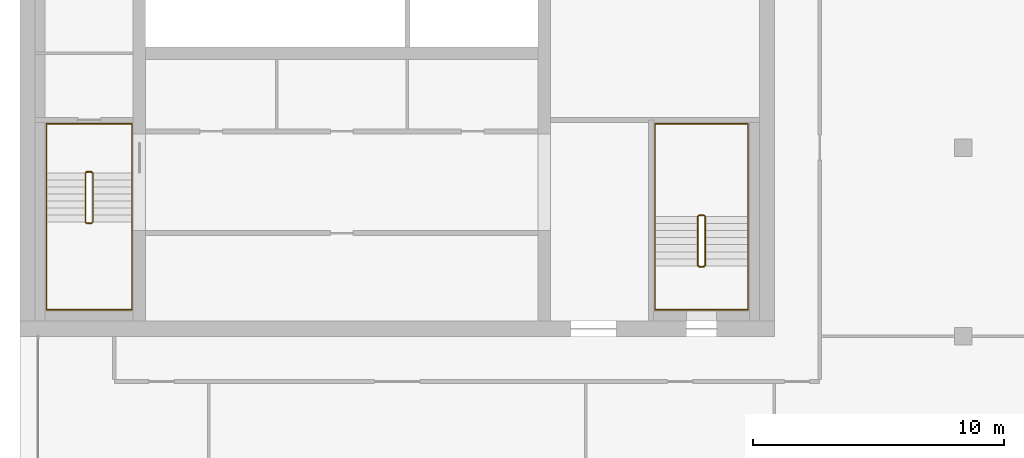
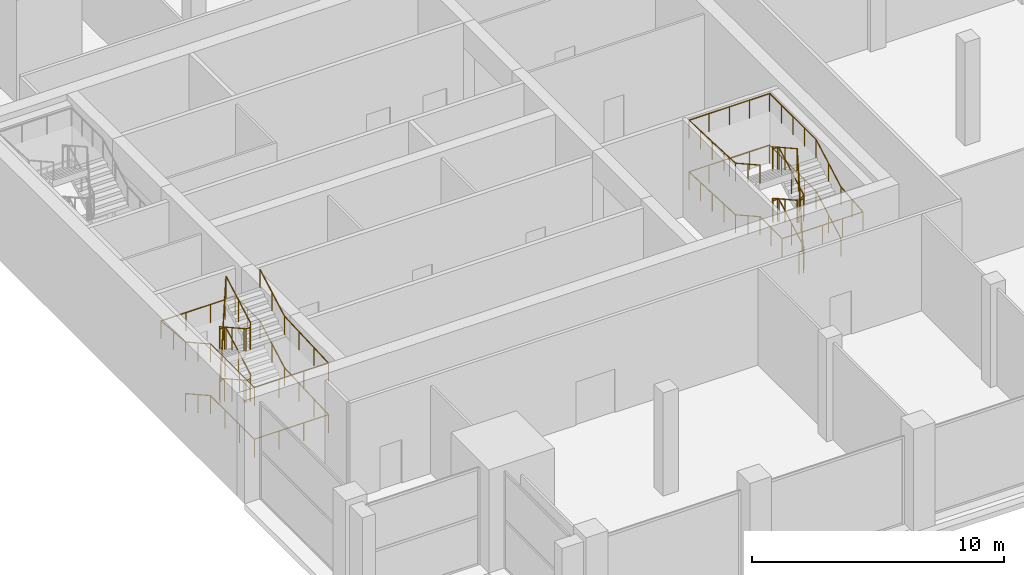
# One storey, part 14 of 15: 4 railings.
"""IFC4 building model written with IfcOpenShell, lengths in metres."""

from ifc_helpers import new_model, si_unit, direction, frame, origin, origin_2d, place, context, subcontext, project, spatial, circle, extrude, material, type_object, element, save


model = new_model("IFC4")

# Units and contexts
model_context = context("Model", 3, precision=1e-05, world=origin(), true_north=direction((0.0, 1.0)))
body_context = subcontext(model_context, "Body", "Model", "MODEL_VIEW")
ifc_project = project(units=[si_unit("LENGTHUNIT", "METRE"), si_unit("AREAUNIT", "SQUARE_METRE"), si_unit("VOLUMEUNIT", "CUBIC_METRE"), si_unit("PLANEANGLEUNIT", "RADIAN"), si_unit("MASSUNIT", "GRAM", prefix="KILO")], contexts=[model_context])

# Site, building, storey
site_placement = place(None, origin())
site = spatial("IfcSite", under=ifc_project, at=site_placement, CompositionType="ELEMENT")
building_placement = place(site_placement, origin())
building = spatial("IfcBuilding", under=site, at=building_placement, Name="Tamorin Gate", CompositionType="ELEMENT")
storey_placement = place(building_placement, frame((0.0, 0.0, 287.199951171875)))
storey = spatial("IfcBuildingStorey", under=building, at=storey_placement, Name="L72", CompositionType="ELEMENT", Elevation=287.199951171875)

# Railings
ifc_material_1 = material(Name="Painted steel balustrade", Category="steel")
railing_type_1 = type_object("IfcRailingType", Name="Stair guard 1100", PredefinedType="GUARDRAIL", material=ifc_material_1)
railing_1_placement = place(storey_placement, frame((32.60009765625, 66.5, 0.15625)))
element("IfcRailing", 1, at=railing_1_placement, inside=storey, type_object=railing_type_1, Name="L72 ST1 stair guard 1", PredefinedType="GUARDRAIL", context=body_context, shape_type="SweptSolid", body=[
    extrude(circle(Radius=0.02392578125, at=origin_2d()), frame((0.0, 0.0, 1.076171875), z_axis=(0.0, -0.873232148454, 0.487304437602), x_axis=(1.0, 0.0, 0.0)), (0.0, 0.0, 1.0), 2.244384765625),
    extrude(circle(Radius=0.02392578125, at=origin_2d()), frame((0.0, -1.9599609375, 2.169921875), z_axis=(0.705375805398, -0.708833529934, 0.0), x_axis=(0.708833529934, 0.705375805398, 0.0)), (0.0, 0.0, 1.0), 0.070556640625),
    extrude(circle(Radius=0.02392578125, at=origin_2d()), frame((0.0498046875, -2.010009765625, 2.169921875), z_axis=(1.0, 0.0, 0.0), x_axis=(0.0, 1.0, 0.0)), (0.0, 0.0, 1.0), 0.2001953125),
    extrude(circle(Radius=0.02392578125, at=origin_2d()), frame((0.25, -2.010009765625, 2.169921875), z_axis=(0.290469530425, 0.291893400672, 0.911276958196), x_axis=(-0.708833529934, 0.705375805398, 0.0)), (0.0, 0.0, 1.0), 0.17138671875),
    extrude(circle(Radius=0.02392578125, at=origin_2d()), frame((0.2998046875, -1.9599609375, 2.326171875), z_axis=(0.0, 0.873232148454, 0.487304437602), x_axis=(-1.0, 0.0, 0.0)), (0.0, 0.0, 1.0), 2.244384765625),
    extrude(circle(Radius=0.02392578125, at=origin_2d()), frame((0.2998046875, 0.0, 3.419921875), z_axis=(-0.98054382908, 0.196300278283, 0.0), x_axis=(-0.196300278283, -0.98054382908, 0.0)), (0.0, 0.0, 1.0), 0.2548828125),
    extrude(circle(Radius=0.02392578125, at=origin_2d()), frame((0.0498046875, 0.050048828125, 3.419921875), z_axis=(1.0, 0.0, 0.0), x_axis=(0.0, 1.0, 0.0)), (0.0, 0.0, 1.0), 0.2001953125),
    extrude(circle(Radius=0.02392578125, at=origin_2d()), frame((0.25, 0.050048828125, 3.419921875), z_axis=(-0.836036486302, -0.167370585637, 0.522522803939), x_axis=(0.196300278283, -0.98054382908, 0.0)), (0.0, 0.0, 1.0), 0.299072265625),
    extrude(circle(Radius=0.02392578125, at=origin_2d()), frame((0.0, 0.0, 3.576171875), z_axis=(0.0, -0.873232148454, 0.487304437602), x_axis=(1.0, 0.0, 0.0)), (0.0, 0.0, 1.0), 2.244384765625),
    extrude(circle(Radius=0.02392578125, at=origin_2d()), frame((0.0, -1.9599609375, 4.669921875), z_axis=(0.705375805398, -0.708833529934, 0.0), x_axis=(0.708833529934, 0.705375805398, 0.0)), (0.0, 0.0, 1.0), 0.070556640625),
    extrude(circle(Radius=0.02392578125, at=origin_2d()), frame((0.0498046875, -2.010009765625, 4.669921875), z_axis=(1.0, 0.0, 0.0), x_axis=(0.0, 1.0, 0.0)), (0.0, 0.0, 1.0), 0.2001953125),
    extrude(circle(Radius=0.02392578125, at=origin_2d()), frame((0.25, -2.010009765625, 4.669921875), z_axis=(0.290469530425, 0.291893400672, 0.911276958196), x_axis=(-0.708833529934, 0.705375805398, 0.0)), (0.0, 0.0, 1.0), 0.17138671875),
    extrude(circle(Radius=0.02392578125, at=origin_2d()), frame((0.2998046875, -1.9599609375, 4.826171875), z_axis=(0.0, 0.873232148454, 0.487304437602), x_axis=(-1.0, 0.0, 0.0)), (0.0, 0.0, 1.0), 2.244384765625),
    extrude(circle(Radius=0.02392578125, at=origin_2d()), frame((0.2998046875, 0.0, 5.919921875), z_axis=(-0.04993512161, 0.009996777275, -0.998702432196), x_axis=(-0.196300278283, -0.98054382908, 0.0)), (0.0, 0.0, 1.0), 5.006591796875),
    extrude(circle(Radius=0.02392578125, at=origin_2d()), frame((0.0498046875, 0.050048828125, 0.919921875), z_axis=(1.0, 0.0, 0.0), x_axis=(0.0, 1.0, 0.0)), (0.0, 0.0, 1.0), 0.2001953125),
    extrude(circle(Radius=0.02099609375, at=origin_2d()), origin(), (0.0, 0.0, 1.0), 1.052001953125),
    extrude(circle(Radius=0.02099609375, at=origin_2d()), frame((0.0, -0.97998046875, 0.546875)), (0.0, 0.0, 1.0), 1.052001953125),
    extrude(circle(Radius=0.02099609375, at=origin_2d()), frame((0.0, -1.9599609375, 1.09375)), (0.0, 0.0, 1.0), 1.052001953125),
    extrude(circle(Radius=0.02099609375, at=origin_2d()), frame((0.0498046875, -2.010009765625, 1.09375)), (0.0, 0.0, 1.0), 1.052001953125),
    extrude(circle(Radius=0.02099609375, at=origin_2d()), frame((0.25, -2.010009765625, 1.09375)), (0.0, 0.0, 1.0), 1.052001953125),
    extrude(circle(Radius=0.02099609375, at=origin_2d()), frame((0.2998046875, -1.9599609375, 1.25)), (0.0, 0.0, 1.0), 1.052001953125),
    extrude(circle(Radius=0.02099609375, at=origin_2d()), frame((0.2998046875, -0.97998046875, 1.796875)), (0.0, 0.0, 1.0), 1.052001953125),
    extrude(circle(Radius=0.02099609375, at=origin_2d()), frame((0.2998046875, 0.0, 2.34375)), (0.0, 0.0, 1.0), 1.052001953125),
    extrude(circle(Radius=0.02099609375, at=origin_2d()), frame((0.0498046875, 0.050048828125, 2.34375)), (0.0, 0.0, 1.0), 1.052001953125),
    extrude(circle(Radius=0.02099609375, at=origin_2d()), frame((0.25, 0.050048828125, 2.34375)), (0.0, 0.0, 1.0), 1.052001953125),
    extrude(circle(Radius=0.02099609375, at=origin_2d()), frame((0.0, 0.0, 2.5)), (0.0, 0.0, 1.0), 1.052001953125),
    extrude(circle(Radius=0.02099609375, at=origin_2d()), frame((0.0, -0.97998046875, 3.046875)), (0.0, 0.0, 1.0), 1.052001953125),
    extrude(circle(Radius=0.02099609375, at=origin_2d()), frame((0.0, -1.9599609375, 3.59375)), (0.0, 0.0, 1.0), 1.052001953125),
    extrude(circle(Radius=0.02099609375, at=origin_2d()), frame((0.0498046875, -2.010009765625, 3.59375)), (0.0, 0.0, 1.0), 1.052001953125),
    extrude(circle(Radius=0.02099609375, at=origin_2d()), frame((0.25, -2.010009765625, 3.59375)), (0.0, 0.0, 1.0), 1.052001953125),
    extrude(circle(Radius=0.02099609375, at=origin_2d()), frame((0.2998046875, -1.9599609375, 3.75)), (0.0, 0.0, 1.0), 1.052001953125),
    extrude(circle(Radius=0.02099609375, at=origin_2d()), frame((0.2998046875, -0.97998046875, 4.296875)), (0.0, 0.0, 1.0), 1.052001953125),
    extrude(circle(Radius=0.02099609375, at=origin_2d()), frame((0.2998046875, 0.0, 4.84375)), (0.0, 0.0, 1.0), 1.052001953125),
    extrude(circle(Radius=0.02099609375, at=origin_2d()), frame((0.249755859375, 0.010009765625, 3.84375)), (0.0, 0.0, 1.0), 1.052001953125),
    extrude(circle(Radius=0.02099609375, at=origin_2d()), frame((0.19970703125, 0.02001953125, 2.84375)), (0.0, 0.0, 1.0), 1.052001953125),
    extrude(circle(Radius=0.02099609375, at=origin_2d()), frame((0.14990234375, 0.030029296875, 1.84375)), (0.0, 0.0, 1.0), 1.052001953125),
    extrude(circle(Radius=0.02099609375, at=origin_2d()), frame((0.099853515625, 0.0400390625, 0.84375)), (0.0, 0.0, 1.0), 1.052001953125),
    extrude(circle(Radius=0.02099609375, at=origin_2d()), frame((0.0498046875, 0.050048828125, -0.15625)), (0.0, 0.0, 1.0), 1.052001953125),
    extrude(circle(Radius=0.02099609375, at=origin_2d()), frame((0.25, 0.050048828125, -0.15625)), (0.0, 0.0, 1.0), 1.052001953125),
])
railing_2_placement = place(storey_placement, frame((57.25, 62.800048828125, 0.15625)))
element("IfcRailing", 2, at=railing_2_placement, inside=storey, type_object=railing_type_1, Name="L72 ST3 stair guard 1", PredefinedType="GUARDRAIL", context=body_context, shape_type="SweptSolid", body=[
    extrude(circle(Radius=0.02392578125, at=origin_2d()), frame((0.0, 0.0, 1.076171875), z_axis=(0.0, 0.873232148454, 0.487304437602), x_axis=(-1.0, 0.0, 0.0)), (0.0, 0.0, 1.0), 2.244384765625),
    extrude(circle(Radius=0.02392578125, at=origin_2d()), frame((0.0, 1.9599609375, 2.169921875), z_axis=(-0.707106781187, 0.707106781187, 0.0), x_axis=(-0.707106781187, -0.707106781187, 0.0)), (0.0, 0.0, 1.0), 0.07080078125),
    extrude(circle(Radius=0.02392578125, at=origin_2d()), frame((-0.050048828125, 2.010009765625, 2.169921875), z_axis=(-1.0, 0.0, 0.0), x_axis=(0.0, -1.0, 0.0)), (0.0, 0.0, 1.0), 0.199951171875),
    extrude(circle(Radius=0.02392578125, at=origin_2d()), frame((-0.25, 2.010009765625, 2.169921875), z_axis=(-0.29177245553, -0.29177245553, 0.91089937336), x_axis=(0.707106781187, -0.707106781187, 0.0)), (0.0, 0.0, 1.0), 0.171630859375),
    extrude(circle(Radius=0.02392578125, at=origin_2d()), frame((-0.300048828125, 1.9599609375, 2.326171875), z_axis=(0.0, -0.873232148454, 0.487304437602), x_axis=(1.0, 0.0, 0.0)), (0.0, 0.0, 1.0), 2.244384765625),
    extrude(circle(Radius=0.02392578125, at=origin_2d()), frame((-0.300048828125, 0.0, 3.419921875), z_axis=(0.98054382908, -0.196300278283, 0.0), x_axis=(0.196300278283, 0.98054382908, 0.0)), (0.0, 0.0, 1.0), 0.2548828125),
    extrude(circle(Radius=0.02392578125, at=origin_2d()), frame((-0.050048828125, -0.050048828125, 3.419921875), z_axis=(-1.0, 0.0, 0.0), x_axis=(0.0, -1.0, 0.0)), (0.0, 0.0, 1.0), 0.199951171875),
    extrude(circle(Radius=0.02392578125, at=origin_2d()), frame((-0.25, -0.050048828125, 3.419921875), z_axis=(0.836036486302, 0.167370585637, 0.522522803939), x_axis=(-0.196300278283, 0.98054382908, 0.0)), (0.0, 0.0, 1.0), 0.299072265625),
    extrude(circle(Radius=0.02392578125, at=origin_2d()), frame((0.0, 0.0, 3.576171875), z_axis=(0.0, 0.873232148454, 0.487304437602), x_axis=(-1.0, 0.0, 0.0)), (0.0, 0.0, 1.0), 2.244384765625),
    extrude(circle(Radius=0.02392578125, at=origin_2d()), frame((0.0, 1.9599609375, 4.669921875), z_axis=(-0.707106781187, 0.707106781187, 0.0), x_axis=(-0.707106781187, -0.707106781187, 0.0)), (0.0, 0.0, 1.0), 0.07080078125),
    extrude(circle(Radius=0.02392578125, at=origin_2d()), frame((-0.050048828125, 2.010009765625, 4.669921875), z_axis=(-1.0, 0.0, 0.0), x_axis=(0.0, -1.0, 0.0)), (0.0, 0.0, 1.0), 0.199951171875),
    extrude(circle(Radius=0.02392578125, at=origin_2d()), frame((-0.25, 2.010009765625, 4.669921875), z_axis=(-0.29177245553, -0.29177245553, 0.91089937336), x_axis=(0.707106781187, -0.707106781187, 0.0)), (0.0, 0.0, 1.0), 0.171630859375),
    extrude(circle(Radius=0.02392578125, at=origin_2d()), frame((-0.300048828125, 1.9599609375, 4.826171875), z_axis=(0.0, -0.873232148454, 0.487304437602), x_axis=(1.0, 0.0, 0.0)), (0.0, 0.0, 1.0), 2.244384765625),
    extrude(circle(Radius=0.02392578125, at=origin_2d()), frame((-0.300048828125, 0.0, 5.919921875), z_axis=(0.04993512161, -0.009996777275, -0.998702432196), x_axis=(0.196300278283, 0.98054382908, 0.0)), (0.0, 0.0, 1.0), 5.006591796875),
    extrude(circle(Radius=0.02392578125, at=origin_2d()), frame((-0.050048828125, -0.050048828125, 0.919921875), z_axis=(-1.0, 0.0, 0.0), x_axis=(0.0, -1.0, 0.0)), (0.0, 0.0, 1.0), 0.199951171875),
    extrude(circle(Radius=0.02099609375, at=origin_2d()), origin(), (0.0, 0.0, 1.0), 1.052001953125),
    extrude(circle(Radius=0.02099609375, at=origin_2d()), frame((0.0, 0.97998046875, 0.546875)), (0.0, 0.0, 1.0), 1.052001953125),
    extrude(circle(Radius=0.02099609375, at=origin_2d()), frame((0.0, 1.9599609375, 1.09375)), (0.0, 0.0, 1.0), 1.052001953125),
    extrude(circle(Radius=0.02099609375, at=origin_2d()), frame((-0.050048828125, 2.010009765625, 1.09375)), (0.0, 0.0, 1.0), 1.052001953125),
    extrude(circle(Radius=0.02099609375, at=origin_2d()), frame((-0.25, 2.010009765625, 1.09375)), (0.0, 0.0, 1.0), 1.052001953125),
    extrude(circle(Radius=0.02099609375, at=origin_2d()), frame((-0.300048828125, 1.9599609375, 1.25)), (0.0, 0.0, 1.0), 1.052001953125),
    extrude(circle(Radius=0.02099609375, at=origin_2d()), frame((-0.300048828125, 0.97998046875, 1.796875)), (0.0, 0.0, 1.0), 1.052001953125),
    extrude(circle(Radius=0.02099609375, at=origin_2d()), frame((-0.300048828125, 0.0, 2.34375)), (0.0, 0.0, 1.0), 1.052001953125),
    extrude(circle(Radius=0.02099609375, at=origin_2d()), frame((-0.050048828125, -0.050048828125, 2.34375)), (0.0, 0.0, 1.0), 1.052001953125),
    extrude(circle(Radius=0.02099609375, at=origin_2d()), frame((-0.25, -0.050048828125, 2.34375)), (0.0, 0.0, 1.0), 1.052001953125),
    extrude(circle(Radius=0.02099609375, at=origin_2d()), frame((0.0, 0.0, 2.5)), (0.0, 0.0, 1.0), 1.052001953125),
    extrude(circle(Radius=0.02099609375, at=origin_2d()), frame((0.0, 0.97998046875, 3.046875)), (0.0, 0.0, 1.0), 1.052001953125),
    extrude(circle(Radius=0.02099609375, at=origin_2d()), frame((0.0, 1.9599609375, 3.59375)), (0.0, 0.0, 1.0), 1.052001953125),
    extrude(circle(Radius=0.02099609375, at=origin_2d()), frame((-0.050048828125, 2.010009765625, 3.59375)), (0.0, 0.0, 1.0), 1.052001953125),
    extrude(circle(Radius=0.02099609375, at=origin_2d()), frame((-0.25, 2.010009765625, 3.59375)), (0.0, 0.0, 1.0), 1.052001953125),
    extrude(circle(Radius=0.02099609375, at=origin_2d()), frame((-0.300048828125, 1.9599609375, 3.75)), (0.0, 0.0, 1.0), 1.052001953125),
    extrude(circle(Radius=0.02099609375, at=origin_2d()), frame((-0.300048828125, 0.97998046875, 4.296875)), (0.0, 0.0, 1.0), 1.052001953125),
    extrude(circle(Radius=0.02099609375, at=origin_2d()), frame((-0.300048828125, 0.0, 4.84375)), (0.0, 0.0, 1.0), 1.052001953125),
    extrude(circle(Radius=0.02099609375, at=origin_2d()), frame((-0.25, -0.010009765625, 3.84375)), (0.0, 0.0, 1.0), 1.052001953125),
    extrude(circle(Radius=0.02099609375, at=origin_2d()), frame((-0.199951171875, -0.02001953125, 2.84375)), (0.0, 0.0, 1.0), 1.052001953125),
    extrude(circle(Radius=0.02099609375, at=origin_2d()), frame((-0.150146484375, -0.030029296875, 1.84375)), (0.0, 0.0, 1.0), 1.052001953125),
    extrude(circle(Radius=0.02099609375, at=origin_2d()), frame((-0.10009765625, -0.0400390625, 0.84375)), (0.0, 0.0, 1.0), 1.052001953125),
    extrude(circle(Radius=0.02099609375, at=origin_2d()), frame((-0.050048828125, -0.050048828125, -0.15625)), (0.0, 0.0, 1.0), 1.052001953125),
    extrude(circle(Radius=0.02099609375, at=origin_2d()), frame((-0.25, -0.050048828125, -0.15625)), (0.0, 0.0, 1.0), 1.052001953125),
])
ifc_material_2 = material(Name="Painted steel handrail", Category="steel")
railing_type_2 = type_object("IfcRailingType", Name="Stair handrail 900", PredefinedType="HANDRAIL", material=ifc_material_2)
railing_3_placement = place(storey_placement, frame((31.050048828125, 66.5, 0.15625)))
element("IfcRailing", 3, at=railing_3_placement, inside=storey, type_object=railing_type_2, Name="L72 ST1 stair handrail 1", PredefinedType="HANDRAIL", context=body_context, shape_type="SweptSolid", body=[
    extrude(circle(Radius=0.02392578125, at=origin_2d()), frame((0.0, 0.0, 0.8759765625), z_axis=(0.0, -0.873232148454, 0.487304437602), x_axis=(1.0, 0.0, 0.0)), (0.0, 0.0, 1.0), 2.244384765625),
    extrude(circle(Radius=0.02392578125, at=origin_2d()), frame((0.0, -1.9599609375, 1.9697265625), z_axis=(0.0, -1.0, 0.0), x_axis=(1.0, 0.0, 0.0)), (0.0, 0.0, 1.0), 3.489990234375),
    extrude(circle(Radius=0.02392578125, at=origin_2d()), frame((0.0, -5.449951171875, 1.9697265625), z_axis=(1.0, 0.0, 0.0), x_axis=(0.0, 1.0, 0.0)), (0.0, 0.0, 1.0), 3.39990234375),
    extrude(circle(Radius=0.02392578125, at=origin_2d()), frame((3.39990234375, -5.449951171875, 1.9697265625), z_axis=(0.0, 0.99899928745, 0.044726096115), x_axis=(-1.0, 0.0, 0.0)), (0.0, 0.0, 1.0), 3.493408203125),
    extrude(circle(Radius=0.02392578125, at=origin_2d()), frame((3.39990234375, -1.9599609375, 2.1259765625), z_axis=(0.0, 0.873232148454, 0.487304437602), x_axis=(-1.0, 0.0, 0.0)), (0.0, 0.0, 1.0), 2.244384765625),
    extrude(circle(Radius=0.02392578125, at=origin_2d()), frame((3.39990234375, 0.0, 3.2197265625), z_axis=(0.0, 1.0, 0.0), x_axis=(-1.0, 0.0, 0.0)), (0.0, 0.0, 1.0), 1.949951171875),
    extrude(circle(Radius=0.02392578125, at=origin_2d()), frame((3.39990234375, 1.949951171875, 3.2197265625), z_axis=(-1.0, 0.0, 0.0), x_axis=(0.0, -1.0, 0.0)), (0.0, 0.0, 1.0), 3.39990234375),
    extrude(circle(Radius=0.02392578125, at=origin_2d()), frame((0.0, 1.949951171875, 3.2197265625), z_axis=(0.0, -0.996804952581, 0.079874191768), x_axis=(1.0, 0.0, 0.0)), (0.0, 0.0, 1.0), 1.956298828125),
    extrude(circle(Radius=0.02392578125, at=origin_2d()), frame((0.0, 0.0, 3.3759765625), z_axis=(0.0, -0.873232148454, 0.487304437602), x_axis=(1.0, 0.0, 0.0)), (0.0, 0.0, 1.0), 2.244384765625),
    extrude(circle(Radius=0.02392578125, at=origin_2d()), frame((0.0, -1.9599609375, 4.4697265625), z_axis=(0.0, -1.0, 0.0), x_axis=(1.0, 0.0, 0.0)), (0.0, 0.0, 1.0), 3.489990234375),
    extrude(circle(Radius=0.02392578125, at=origin_2d()), frame((0.0, -5.449951171875, 4.4697265625), z_axis=(1.0, 0.0, 0.0), x_axis=(0.0, 1.0, 0.0)), (0.0, 0.0, 1.0), 3.39990234375),
    extrude(circle(Radius=0.02392578125, at=origin_2d()), frame((3.39990234375, -5.449951171875, 4.4697265625), z_axis=(0.0, 0.99899928745, 0.044726096115), x_axis=(-1.0, 0.0, 0.0)), (0.0, 0.0, 1.0), 3.493408203125),
    extrude(circle(Radius=0.02392578125, at=origin_2d()), frame((3.39990234375, -1.9599609375, 4.6259765625), z_axis=(0.0, 0.873232148454, 0.487304437602), x_axis=(-1.0, 0.0, 0.0)), (0.0, 0.0, 1.0), 2.244384765625),
    extrude(circle(Radius=0.02099609375, at=origin_2d()), origin(), (0.0, 0.0, 1.0), 0.851806640625),
    extrude(circle(Radius=0.02099609375, at=origin_2d()), frame((0.0, -0.97998046875, 0.546875)), (0.0, 0.0, 1.0), 0.851806640625),
    extrude(circle(Radius=0.02099609375, at=origin_2d()), frame((0.0, -1.9599609375, 1.09375)), (0.0, 0.0, 1.0), 0.851806640625),
    extrude(circle(Radius=0.02099609375, at=origin_2d()), frame((0.0, -3.123291015625, 1.09375)), (0.0, 0.0, 1.0), 0.851806640625),
    extrude(circle(Radius=0.02099609375, at=origin_2d()), frame((0.0, -4.28662109375, 1.09375)), (0.0, 0.0, 1.0), 0.851806640625),
    extrude(circle(Radius=0.02099609375, at=origin_2d()), frame((0.0, -5.449951171875, 1.09375)), (0.0, 0.0, 1.0), 0.851806640625),
    extrude(circle(Radius=0.02099609375, at=origin_2d()), frame((1.13330078125, -5.449951171875, 1.09375)), (0.0, 0.0, 1.0), 0.851806640625),
    extrude(circle(Radius=0.02099609375, at=origin_2d()), frame((2.2666015625, -5.449951171875, 1.09375)), (0.0, 0.0, 1.0), 0.851806640625),
    extrude(circle(Radius=0.02099609375, at=origin_2d()), frame((3.39990234375, -5.449951171875, 1.09375)), (0.0, 0.0, 1.0), 0.851806640625),
    extrude(circle(Radius=0.02099609375, at=origin_2d()), frame((3.39990234375, -4.28662109375, 1.145751953125)), (0.0, 0.0, 1.0), 0.851806640625),
    extrude(circle(Radius=0.02099609375, at=origin_2d()), frame((3.39990234375, -3.123291015625, 1.197998046875)), (0.0, 0.0, 1.0), 0.851806640625),
    extrude(circle(Radius=0.02099609375, at=origin_2d()), frame((3.39990234375, -1.9599609375, 1.25)), (0.0, 0.0, 1.0), 0.851806640625),
    extrude(circle(Radius=0.02099609375, at=origin_2d()), frame((3.39990234375, -0.97998046875, 1.796875)), (0.0, 0.0, 1.0), 0.851806640625),
    extrude(circle(Radius=0.02099609375, at=origin_2d()), frame((3.39990234375, 0.0, 2.34375)), (0.0, 0.0, 1.0), 0.851806640625),
    extrude(circle(Radius=0.02099609375, at=origin_2d()), frame((3.39990234375, 0.97509765625, 2.34375)), (0.0, 0.0, 1.0), 0.851806640625),
    extrude(circle(Radius=0.02099609375, at=origin_2d()), frame((3.39990234375, 1.949951171875, 2.34375)), (0.0, 0.0, 1.0), 0.851806640625),
    extrude(circle(Radius=0.02099609375, at=origin_2d()), frame((2.2666015625, 1.949951171875, 2.34375)), (0.0, 0.0, 1.0), 0.851806640625),
    extrude(circle(Radius=0.02099609375, at=origin_2d()), frame((1.13330078125, 1.949951171875, 2.34375)), (0.0, 0.0, 1.0), 0.851806640625),
    extrude(circle(Radius=0.02099609375, at=origin_2d()), frame((0.0, 1.949951171875, 2.34375)), (0.0, 0.0, 1.0), 0.851806640625),
    extrude(circle(Radius=0.02099609375, at=origin_2d()), frame((0.0, 0.97509765625, 2.421875)), (0.0, 0.0, 1.0), 0.851806640625),
    extrude(circle(Radius=0.02099609375, at=origin_2d()), frame((0.0, 0.0, 2.5)), (0.0, 0.0, 1.0), 0.851806640625),
    extrude(circle(Radius=0.02099609375, at=origin_2d()), frame((0.0, -0.97998046875, 3.046875)), (0.0, 0.0, 1.0), 0.851806640625),
    extrude(circle(Radius=0.02099609375, at=origin_2d()), frame((0.0, -1.9599609375, 3.59375)), (0.0, 0.0, 1.0), 0.851806640625),
    extrude(circle(Radius=0.02099609375, at=origin_2d()), frame((0.0, -3.123291015625, 3.59375)), (0.0, 0.0, 1.0), 0.851806640625),
    extrude(circle(Radius=0.02099609375, at=origin_2d()), frame((0.0, -4.28662109375, 3.59375)), (0.0, 0.0, 1.0), 0.851806640625),
    extrude(circle(Radius=0.02099609375, at=origin_2d()), frame((0.0, -5.449951171875, 3.59375)), (0.0, 0.0, 1.0), 0.851806640625),
    extrude(circle(Radius=0.02099609375, at=origin_2d()), frame((1.13330078125, -5.449951171875, 3.59375)), (0.0, 0.0, 1.0), 0.851806640625),
    extrude(circle(Radius=0.02099609375, at=origin_2d()), frame((2.2666015625, -5.449951171875, 3.59375)), (0.0, 0.0, 1.0), 0.851806640625),
    extrude(circle(Radius=0.02099609375, at=origin_2d()), frame((3.39990234375, -5.449951171875, 3.59375)), (0.0, 0.0, 1.0), 0.851806640625),
    extrude(circle(Radius=0.02099609375, at=origin_2d()), frame((3.39990234375, -4.28662109375, 3.645751953125)), (0.0, 0.0, 1.0), 0.851806640625),
    extrude(circle(Radius=0.02099609375, at=origin_2d()), frame((3.39990234375, -3.123291015625, 3.697998046875)), (0.0, 0.0, 1.0), 0.851806640625),
    extrude(circle(Radius=0.02099609375, at=origin_2d()), frame((3.39990234375, -1.9599609375, 3.75)), (0.0, 0.0, 1.0), 0.851806640625),
    extrude(circle(Radius=0.02099609375, at=origin_2d()), frame((3.39990234375, -0.97998046875, 4.296875)), (0.0, 0.0, 1.0), 0.851806640625),
    extrude(circle(Radius=0.02099609375, at=origin_2d()), frame((3.39990234375, 0.0, 4.84375)), (0.0, 0.0, 1.0), 0.851806640625),
])
railing_4_placement = place(storey_placement, frame((58.949951171875, 62.800048828125, 0.15625)))
element("IfcRailing", 4, at=railing_4_placement, inside=storey, type_object=railing_type_2, Name="L72 ST3 stair handrail 1", PredefinedType="HANDRAIL", context=body_context, shape_type="SweptSolid", body=[
    extrude(circle(Radius=0.02392578125, at=origin_2d()), frame((0.0, 0.0, 0.8759765625), z_axis=(0.0, 0.873232148454, 0.487304437602), x_axis=(-1.0, 0.0, 0.0)), (0.0, 0.0, 1.0), 2.244384765625),
    extrude(circle(Radius=0.02392578125, at=origin_2d()), frame((0.0, 1.9599609375, 1.9697265625), z_axis=(0.0, 1.0, 0.0), x_axis=(-1.0, 0.0, 0.0)), (0.0, 0.0, 1.0), 3.68994140625),
    extrude(circle(Radius=0.02392578125, at=origin_2d()), frame((0.0, 5.64990234375, 1.9697265625), z_axis=(-1.0, 0.0, 0.0), x_axis=(0.0, -1.0, 0.0)), (0.0, 0.0, 1.0), 3.699951171875),
    extrude(circle(Radius=0.02392578125, at=origin_2d()), frame((-3.699951171875, 5.64990234375, 1.9697265625), z_axis=(0.0, -0.999104660901, 0.042306932842), x_axis=(1.0, 0.0, 0.0)), (0.0, 0.0, 1.0), 3.693359375),
    extrude(circle(Radius=0.02392578125, at=origin_2d()), frame((-3.699951171875, 1.9599609375, 2.1259765625), z_axis=(0.0, -0.873232148454, 0.487304437602), x_axis=(1.0, 0.0, 0.0)), (0.0, 0.0, 1.0), 2.244384765625),
    extrude(circle(Radius=0.02392578125, at=origin_2d()), frame((-3.699951171875, 0.0, 3.2197265625), z_axis=(0.0, -1.0, 0.0), x_axis=(1.0, 0.0, 0.0)), (0.0, 0.0, 1.0), 1.75),
    extrude(circle(Radius=0.02392578125, at=origin_2d()), frame((-3.699951171875, -1.75, 3.2197265625), z_axis=(1.0, 0.0, 0.0), x_axis=(0.0, 1.0, 0.0)), (0.0, 0.0, 1.0), 3.699951171875),
    extrude(circle(Radius=0.02392578125, at=origin_2d()), frame((0.0, -1.75, 3.2197265625), z_axis=(0.0, 0.996037705314, 0.088931937975), x_axis=(-1.0, 0.0, 0.0)), (0.0, 0.0, 1.0), 1.757080078125),
    extrude(circle(Radius=0.02392578125, at=origin_2d()), frame((0.0, 0.0, 3.3759765625), z_axis=(0.0, 0.873232148454, 0.487304437602), x_axis=(-1.0, 0.0, 0.0)), (0.0, 0.0, 1.0), 2.244384765625),
    extrude(circle(Radius=0.02392578125, at=origin_2d()), frame((0.0, 1.9599609375, 4.4697265625), z_axis=(0.0, 1.0, 0.0), x_axis=(-1.0, 0.0, 0.0)), (0.0, 0.0, 1.0), 3.68994140625),
    extrude(circle(Radius=0.02392578125, at=origin_2d()), frame((0.0, 5.64990234375, 4.4697265625), z_axis=(-1.0, 0.0, 0.0), x_axis=(0.0, -1.0, 0.0)), (0.0, 0.0, 1.0), 3.699951171875),
    extrude(circle(Radius=0.02392578125, at=origin_2d()), frame((-3.699951171875, 5.64990234375, 4.4697265625), z_axis=(0.0, -0.999104660901, 0.042306932842), x_axis=(1.0, 0.0, 0.0)), (0.0, 0.0, 1.0), 3.693359375),
    extrude(circle(Radius=0.02392578125, at=origin_2d()), frame((-3.699951171875, 1.9599609375, 4.6259765625), z_axis=(0.0, -0.873232148454, 0.487304437602), x_axis=(1.0, 0.0, 0.0)), (0.0, 0.0, 1.0), 2.244384765625),
    extrude(circle(Radius=0.02099609375, at=origin_2d()), origin(), (0.0, 0.0, 1.0), 0.851806640625),
    extrude(circle(Radius=0.02099609375, at=origin_2d()), frame((0.0, 0.97998046875, 0.546875)), (0.0, 0.0, 1.0), 0.851806640625),
    extrude(circle(Radius=0.02099609375, at=origin_2d()), frame((0.0, 1.9599609375, 1.09375)), (0.0, 0.0, 1.0), 0.851806640625),
    extrude(circle(Radius=0.02099609375, at=origin_2d()), frame((0.0, 2.88232421875, 1.09375)), (0.0, 0.0, 1.0), 0.851806640625),
    extrude(circle(Radius=0.02099609375, at=origin_2d()), frame((0.0, 3.804931640625, 1.09375)), (0.0, 0.0, 1.0), 0.851806640625),
    extrude(circle(Radius=0.02099609375, at=origin_2d()), frame((0.0, 4.7275390625, 1.09375)), (0.0, 0.0, 1.0), 0.851806640625),
    extrude(circle(Radius=0.02099609375, at=origin_2d()), frame((0.0, 5.64990234375, 1.09375)), (0.0, 0.0, 1.0), 0.851806640625),
    extrude(circle(Radius=0.02099609375, at=origin_2d()), frame((-0.925048828125, 5.64990234375, 1.09375)), (0.0, 0.0, 1.0), 0.851806640625),
    extrude(circle(Radius=0.02099609375, at=origin_2d()), frame((-1.85009765625, 5.64990234375, 1.09375)), (0.0, 0.0, 1.0), 0.851806640625),
    extrude(circle(Radius=0.02099609375, at=origin_2d()), frame((-2.77490234375, 5.64990234375, 1.09375)), (0.0, 0.0, 1.0), 0.851806640625),
    extrude(circle(Radius=0.02099609375, at=origin_2d()), frame((-3.699951171875, 5.64990234375, 1.09375)), (0.0, 0.0, 1.0), 0.851806640625),
    extrude(circle(Radius=0.02099609375, at=origin_2d()), frame((-3.699951171875, 4.7275390625, 1.1328125)), (0.0, 0.0, 1.0), 0.851806640625),
    extrude(circle(Radius=0.02099609375, at=origin_2d()), frame((-3.699951171875, 3.804931640625, 1.171875)), (0.0, 0.0, 1.0), 0.851806640625),
    extrude(circle(Radius=0.02099609375, at=origin_2d()), frame((-3.699951171875, 2.88232421875, 1.2109375)), (0.0, 0.0, 1.0), 0.851806640625),
    extrude(circle(Radius=0.02099609375, at=origin_2d()), frame((-3.699951171875, 1.9599609375, 1.25)), (0.0, 0.0, 1.0), 0.851806640625),
    extrude(circle(Radius=0.02099609375, at=origin_2d()), frame((-3.699951171875, 0.97998046875, 1.796875)), (0.0, 0.0, 1.0), 0.851806640625),
    extrude(circle(Radius=0.02099609375, at=origin_2d()), frame((-3.699951171875, 0.0, 2.34375)), (0.0, 0.0, 1.0), 0.851806640625),
    extrude(circle(Radius=0.02099609375, at=origin_2d()), frame((-3.699951171875, -0.875, 2.34375)), (0.0, 0.0, 1.0), 0.851806640625),
    extrude(circle(Radius=0.02099609375, at=origin_2d()), frame((-3.699951171875, -1.75, 2.34375)), (0.0, 0.0, 1.0), 0.851806640625),
    extrude(circle(Radius=0.02099609375, at=origin_2d()), frame((-2.77490234375, -1.75, 2.34375)), (0.0, 0.0, 1.0), 0.851806640625),
    extrude(circle(Radius=0.02099609375, at=origin_2d()), frame((-1.85009765625, -1.75, 2.34375)), (0.0, 0.0, 1.0), 0.851806640625),
    extrude(circle(Radius=0.02099609375, at=origin_2d()), frame((-0.925048828125, -1.75, 2.34375)), (0.0, 0.0, 1.0), 0.851806640625),
    extrude(circle(Radius=0.02099609375, at=origin_2d()), frame((0.0, -1.75, 2.34375)), (0.0, 0.0, 1.0), 0.851806640625),
    extrude(circle(Radius=0.02099609375, at=origin_2d()), frame((0.0, -0.875, 2.421875)), (0.0, 0.0, 1.0), 0.851806640625),
    extrude(circle(Radius=0.02099609375, at=origin_2d()), frame((0.0, 0.0, 2.5)), (0.0, 0.0, 1.0), 0.851806640625),
    extrude(circle(Radius=0.02099609375, at=origin_2d()), frame((0.0, 0.97998046875, 3.046875)), (0.0, 0.0, 1.0), 0.851806640625),
    extrude(circle(Radius=0.02099609375, at=origin_2d()), frame((0.0, 1.9599609375, 3.59375)), (0.0, 0.0, 1.0), 0.851806640625),
    extrude(circle(Radius=0.02099609375, at=origin_2d()), frame((0.0, 2.88232421875, 3.59375)), (0.0, 0.0, 1.0), 0.851806640625),
    extrude(circle(Radius=0.02099609375, at=origin_2d()), frame((0.0, 3.804931640625, 3.59375)), (0.0, 0.0, 1.0), 0.851806640625),
    extrude(circle(Radius=0.02099609375, at=origin_2d()), frame((0.0, 4.7275390625, 3.59375)), (0.0, 0.0, 1.0), 0.851806640625),
    extrude(circle(Radius=0.02099609375, at=origin_2d()), frame((0.0, 5.64990234375, 3.59375)), (0.0, 0.0, 1.0), 0.851806640625),
    extrude(circle(Radius=0.02099609375, at=origin_2d()), frame((-0.925048828125, 5.64990234375, 3.59375)), (0.0, 0.0, 1.0), 0.851806640625),
    extrude(circle(Radius=0.02099609375, at=origin_2d()), frame((-1.85009765625, 5.64990234375, 3.59375)), (0.0, 0.0, 1.0), 0.851806640625),
    extrude(circle(Radius=0.02099609375, at=origin_2d()), frame((-2.77490234375, 5.64990234375, 3.59375)), (0.0, 0.0, 1.0), 0.851806640625),
    extrude(circle(Radius=0.02099609375, at=origin_2d()), frame((-3.699951171875, 5.64990234375, 3.59375)), (0.0, 0.0, 1.0), 0.851806640625),
    extrude(circle(Radius=0.02099609375, at=origin_2d()), frame((-3.699951171875, 4.7275390625, 3.6328125)), (0.0, 0.0, 1.0), 0.851806640625),
    extrude(circle(Radius=0.02099609375, at=origin_2d()), frame((-3.699951171875, 3.804931640625, 3.671875)), (0.0, 0.0, 1.0), 0.851806640625),
    extrude(circle(Radius=0.02099609375, at=origin_2d()), frame((-3.699951171875, 2.88232421875, 3.7109375)), (0.0, 0.0, 1.0), 0.851806640625),
    extrude(circle(Radius=0.02099609375, at=origin_2d()), frame((-3.699951171875, 1.9599609375, 3.75)), (0.0, 0.0, 1.0), 0.851806640625),
    extrude(circle(Radius=0.02099609375, at=origin_2d()), frame((-3.699951171875, 0.97998046875, 4.296875)), (0.0, 0.0, 1.0), 0.851806640625),
    extrude(circle(Radius=0.02099609375, at=origin_2d()), frame((-3.699951171875, 0.0, 4.84375)), (0.0, 0.0, 1.0), 0.851806640625),
])

save(model, "model.ifc")
